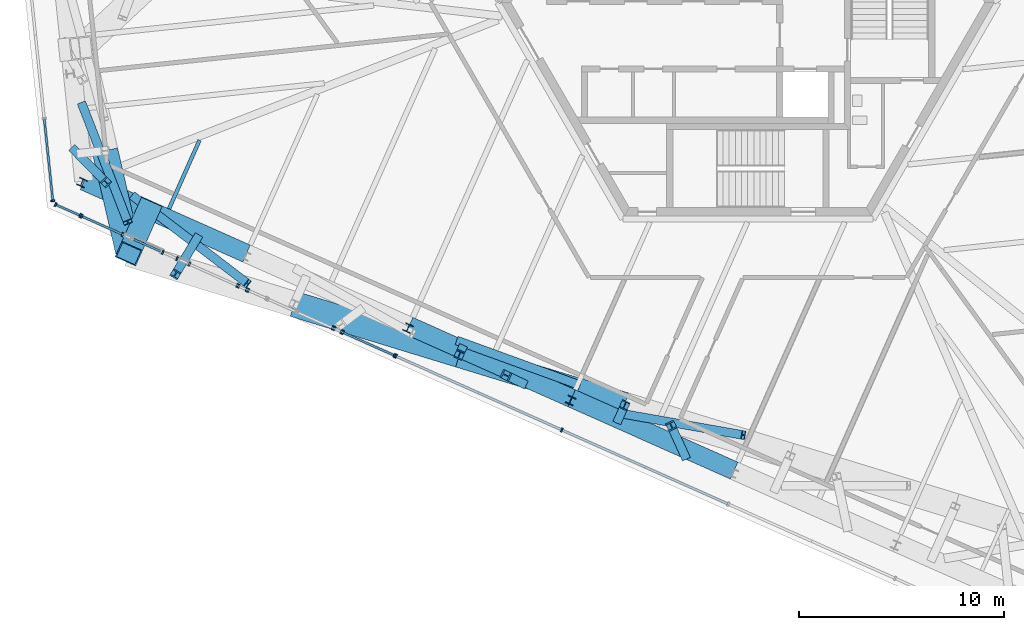
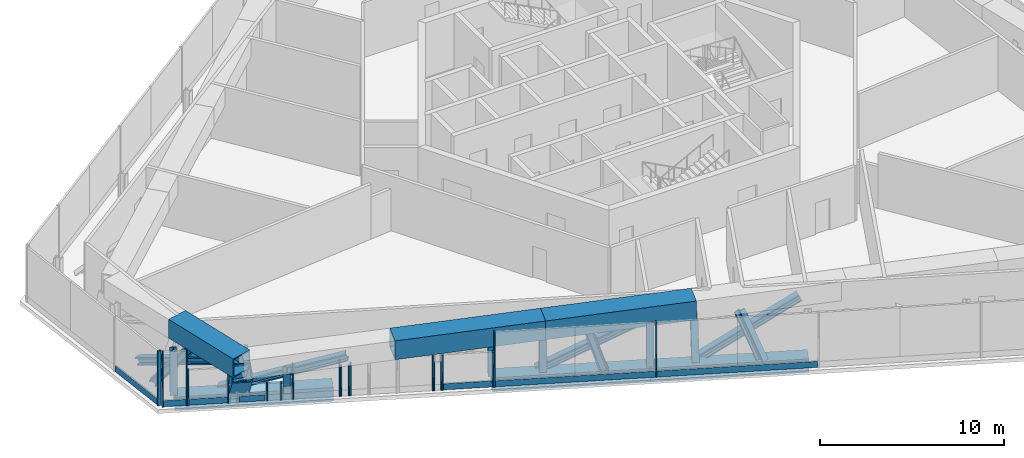
# One storey, part 1 of 30: 46 members, 1 beam, 12 elements without a shape of their own.
"""IFC4 building model written with IfcOpenShell, lengths in metres."""

from ifc_helpers import new_model, si_unit, direction, frame, origin, origin_2d, place, context, subcontext, project, spatial, rectangle, hollow_rectangle, i_section, extrude, source, transform, mapped, material, material_profile, profile_set, type_object, element, aggregate, save


model = new_model("IFC4")

# Units and contexts
model_context = context("Model", 3, precision=1e-05, world=origin(), true_north=direction((0.0, 1.0)))
body_context = subcontext(model_context, "Body", "Model", "MODEL_VIEW")
ifc_project = project(units=[si_unit("LENGTHUNIT", "METRE"), si_unit("AREAUNIT", "SQUARE_METRE"), si_unit("VOLUMEUNIT", "CUBIC_METRE"), si_unit("PLANEANGLEUNIT", "RADIAN"), si_unit("MASSUNIT", "GRAM", prefix="KILO")], contexts=[model_context])

# Site, building, storey
site_placement = place(None, origin())
site = spatial("IfcSite", under=ifc_project, at=site_placement, CompositionType="ELEMENT")
building_placement = place(site_placement, origin())
building = spatial("IfcBuilding", under=site, at=building_placement, Name="Triune Harvest Tower", CompositionType="ELEMENT")
storey_placement = place(building_placement, frame((0.0, 0.0, 94.5)))
storey = spatial("IfcBuildingStorey", under=building, at=storey_placement, Name="L23", CompositionType="ELEMENT", Elevation=94.5)

# Beam
ifc_material_1 = material(Name="Steel ASTM A992 Gr 50", Category="steel")
ifc_material_profile_1 = material_profile(ifc_material_1, i_section(OverallWidth=0.180908203125, OverallDepth=0.41650390625, WebThickness=0.010986328125, FlangeThickness=0.01806640625, at=origin_2d()), Name="W16x57")
ifc_profile_set_1 = profile_set([ifc_material_profile_1], Name="Steel ASTM A992 Gr 50")
beam_type = type_object("IfcBeamType", Name="JT-1 Floor joist W16x57", PredefinedType="JOIST", material=ifc_profile_set_1)
beam_placement = place(storey_placement, frame((-28.179443359375, -10.0498046875, -0.458251953125), z_axis=(0.4067460749, 0.913541258266, 0.0), x_axis=(-0.913541258266, 0.4067460749, 0.0)))
element("IfcBeam", 1, at=beam_placement, inside=storey, type_object=beam_type, Name="beam/L23/JT27", PredefinedType="JOIST", context=body_context, shape_type="SweptSolid", body=[
    extrude(i_section(OverallWidth=0.180908203125, OverallDepth=0.41650390625, WebThickness=0.010986328125, FlangeThickness=0.01806640625, at=origin_2d()), origin(), (0.0, 0.0, 1.0), 3.653076171875),
])

# Members
ifc_material_2 = material(Name="Steel ASTM A572 Gr 50", Category="steel")
ifc_material_profile_2 = material_profile(ifc_material_2, hollow_rectangle(XDim=1.25, YDim=1.25, WallThickness=0.070068359375, at=origin_2d()), Name="Box 1250x1250x70")
ifc_profile_set_2 = profile_set([ifc_material_profile_2], Name="Steel ASTM A572 Gr 50")
member_type_1 = type_object("IfcMemberType", Name="TC-1 Belt truss chord Box 1250x1250x70", PredefinedType="CHORD", material=ifc_profile_set_2)
member_1_placement = place(storey_placement, frame((-31.291015625, -7.22412109375, 3.014892578125), z_axis=(0.224960173276, -0.974367959469, 0.0), x_axis=(0.974367959469, 0.224960173276, 0.0)))
element("IfcMember", 2, at=member_1_placement, inside=storey, type_object=member_type_1, Name="truss/L23/TCT16", PredefinedType="CHORD", context=body_context, shape_type="SweptSolid", body=[
    extrude(hollow_rectangle(XDim=1.25, YDim=1.25, WallThickness=0.070068359375, at=origin_2d()), origin(), (0.0, 0.0, 1.0), 5.136474609375),
])
ifc_material_3 = material(Name="Steel ASTM A992 Gr 50", Category="steel")
ifc_material_profile_3 = material_profile(ifc_material_3, i_section(OverallWidth=0.424072265625, OverallDepth=0.47509765625, WebThickness=0.0478515625, FlangeThickness=0.0771484375, at=origin_2d()), Name="W14x426")
ifc_profile_set_3 = profile_set([ifc_material_profile_3], Name="Steel ASTM A992 Gr 50")
member_type_2 = type_object("IfcMemberType", Name="TD-1 Belt truss diagonal W14x426", PredefinedType="BRACE", material=ifc_profile_set_3)
member_2_placement = place(storey_placement, frame((-29.9130859375, -9.442138671875, -0.324951171875), z_axis=(0.739611778262, -0.564751900997, 0.366100679836), x_axis=(0.606884722326, 0.794789867705, 0.0)))
element("IfcMember", 3, at=member_2_placement, inside=storey, type_object=member_type_2, Name="truss/L23/TD33", PredefinedType="BRACE", context=body_context, shape_type="SweptSolid", body=[
    extrude(i_section(OverallWidth=0.424072265625, OverallDepth=0.47509765625, WebThickness=0.0478515625, FlangeThickness=0.0771484375, at=origin_2d()), origin(), (0.0, 0.0, 1.0), 7.511474609375),
])

# Curtain wall, member
ifc_material_4 = material(Name="Aluminium bronze anodised", Category="aluminium")
curtain_wall_type = type_object("IfcCurtainWallType", Name="CW-5 Plant louvre wall", PredefinedType="NOTDEFINED", material=ifc_material_4)
curtain_wall_1_placement = place(storey_placement, origin())
curtain_wall_1 = element("IfcCurtainWall", 4, at=curtain_wall_1_placement, inside=storey, type_object=curtain_wall_type, Name="CW-5 B2-F5 L23 run 301")
ifc_material_5 = material(Name="Aluminium bronze anodised", Category="aluminium")
ifc_material_profile_4 = material_profile(ifc_material_5, rectangle(XDim=0.10009765625, YDim=0.39990234375, at=origin_2d()), Name="TR-5 transom 100 x 400")
ifc_profile_set_4 = profile_set([ifc_material_profile_4], Name="Aluminium bronze anodised")
member_type_3 = type_object("IfcMemberType", Name="TR-5 transom 100 x 400", PredefinedType="USERDEFINED", material=ifc_profile_set_4)
member_3_placement = place(storey_placement, frame((-29.895751953125, -11.535400390625, 0.199951171875), z_axis=(0.91360024663, -0.406613562682, 0.0), x_axis=(0.406613562682, 0.91360024663, 0.0)))
member_3 = element("IfcMember", 5, at=member_3_placement, type_object=member_type_3, Name="CW-5 transom B2-F5 301.1", ObjectType="TRANSOM", PredefinedType="USERDEFINED", context=body_context, shape_type="SweptSolid", body=[
    extrude(rectangle(XDim=0.10009765625, YDim=0.39990234375, at=origin_2d()), origin(), (0.0, 0.0, 1.0), 1.43017578125),
])
aggregate(curtain_wall_1, [member_3])

curtain_wall_2_placement = place(storey_placement, origin())
curtain_wall_2 = element("IfcCurtainWall", 6, at=curtain_wall_2_placement, inside=storey, type_object=curtain_wall_type, Name="CW-5 B2-F5 L23 run 1201")
member_4_placement = place(storey_placement, frame((-19.68505859375, -16.08154296875, 0.199951171875), z_axis=(0.913574454916, -0.406671507884, 0.0), x_axis=(0.406671507884, 0.913574454916, 0.0)))
member_4 = element("IfcMember", 7, at=member_4_placement, type_object=member_type_3, Name="CW-5 transom B2-F5 1201.1", ObjectType="TRANSOM", PredefinedType="USERDEFINED", context=body_context, shape_type="SweptSolid", body=[
    extrude(rectangle(XDim=0.10009765625, YDim=0.39990234375, at=origin_2d()), origin(), (0.0, 0.0, 1.0), 2.677001953125),
])

# Members
ifc_material_6 = material(Name="Steel ASTM A992 Gr 50", Category="steel")
ifc_material_profile_5 = material_profile(ifc_material_6, i_section(OverallWidth=0.398681640625, OverallDepth=0.393798828125, WebThickness=0.022705078125, FlangeThickness=0.03662109375, at=origin_2d()), Name="W14x193")
ifc_profile_set_5 = profile_set([ifc_material_profile_5], Name="Steel ASTM A992 Gr 50")
member_type_4 = type_object("IfcMemberType", Name="WP-2 Roof edge post W14x193", PredefinedType="POST", material=ifc_profile_set_5)
shared_shape_1 = source(origin(), body_context, "Body", "SweptSolid", [
    extrude(i_section(OverallWidth=0.398681640625, OverallDepth=0.393798828125, WebThickness=0.022705078125, FlangeThickness=0.03662109375, at=origin_2d()), origin(), (0.0, 0.0, 1.0), 2.9755859375),
])
for number, where, z_axis, x_axis, name in (
    (8, (-32.416259765625, -8.769775390625, -0.25), (0.0, 0.0, 1.0), (0.913545457643, -0.406736643076, 0.0), "post/L23/W16"),
    (9, (-16.541259765625, -15.85546875, -0.25), (0.0, 0.0, 1.0), (0.913545457643, -0.406736643076, 0.0), "post/L23/W18"),
    (10, (-8.6279296875, -19.378662109375, -0.25), (0.0, 0.0, 1.0), (0.913545457643, -0.406736643076, 0.0), "post/L23/W19"),
):
    element("IfcMember", number, at=place(storey_placement, frame(where, z_axis=z_axis, x_axis=x_axis)), inside=storey, type_object=member_type_4, Name=name, PredefinedType="POST", context=body_context, shape_type="MappedRepresentation", body=[
        mapped(shared_shape_1, transform((0.0, 0.0, 0.0), scale=1.0)),
    ])
ifc_material_7 = material(Name="Steel ASTM A572 Gr 50", Category="steel")
ifc_material_profile_6 = material_profile(ifc_material_7, hollow_rectangle(XDim=0.89990234375, YDim=0.89990234375, WallThickness=0.050048828125, at=origin_2d()), Name="Box 900x900x50")
ifc_profile_set_6 = profile_set([ifc_material_profile_6], Name="Steel ASTM A572 Gr 50")
member_type_5 = type_object("IfcMemberType", Name="TC-2 Belt truss chord Box 900x900x50", PredefinedType="CHORD", material=ifc_profile_set_6)
shared_shape_2 = source(origin(), body_context, "Body", "SweptSolid", [
    extrude(hollow_rectangle(XDim=0.89990234375, YDim=0.89990234375, WallThickness=0.050048828125, at=origin_2d()), origin(), (0.0, 0.0, 1.0), 8.662109375),
])
for number, where, z_axis, x_axis, name in (
    (11, (-32.319091796875, -8.69921875, -0.699951171875), (0.913547524684, -0.406732000392, 0.0), (0.406732000392, 0.913547524684, 0.0), "truss/L23/TCB17"),
    (12, (-16.492431640625, -15.745849609375, -0.699951171875), (0.913547524684, -0.406732000392, 0.0), (0.406732000392, 0.913547524684, 0.0), "truss/L23/TCB19"),
    (13, (-8.5791015625, -19.26904296875, -0.699951171875), (0.913547524684, -0.406732000392, 0.0), (0.406732000392, 0.913547524684, 0.0), "truss/L23/TCB20"),
):
    element("IfcMember", number, at=place(storey_placement, frame(where, z_axis=z_axis, x_axis=x_axis)), inside=storey, type_object=member_type_5, Name=name, PredefinedType="CHORD", context=body_context, shape_type="MappedRepresentation", body=[
        mapped(shared_shape_2, transform((0.0, 0.0, 0.0), scale=1.0)),
    ])
shared_shape_3 = source(origin(), body_context, "Body", "SweptSolid", [
    extrude(hollow_rectangle(XDim=1.25, YDim=1.25, WallThickness=0.070068359375, at=origin_2d()), origin(), (0.0, 0.0, 1.0), 8.414306640625),
])
member_5_placement = place(storey_placement, frame((-14.0419921875, -17.1494140625, 3.014892578125), z_axis=(0.956301328629, -0.292382914791, 0.0), x_axis=(0.292382914791, 0.956301328629, 0.0)))
element("IfcMember", 14, at=member_5_placement, inside=storey, type_object=member_type_1, Name="truss/L23/TCT19", PredefinedType="CHORD", context=body_context, shape_type="MappedRepresentation", body=[
    mapped(shared_shape_3, transform((0.0, 0.0, 0.0), scale=1.0)),
])
shared_shape_4 = source(origin(), body_context, "Body", "SweptSolid", [
    extrude(hollow_rectangle(XDim=1.25, YDim=1.25, WallThickness=0.070068359375, at=origin_2d()), origin(), (0.0, 0.0, 1.0), 8.41455078125),
])
member_6_placement = place(storey_placement, frame((-22.0888671875, -14.689208984375, 3.014892578125), z_axis=(0.956303808943, -0.292374802267, 0.0), x_axis=(0.292374802267, 0.956303808943, 0.0)))
element("IfcMember", 15, at=member_6_placement, inside=storey, type_object=member_type_1, Name="truss/L23/TCT18", PredefinedType="CHORD", context=body_context, shape_type="MappedRepresentation", body=[
    mapped(shared_shape_4, transform((0.0, 0.0, 0.0), scale=1.0)),
])
ifc_material_8 = material(Name="Steel ASTM A992 Gr 50", Category="steel")
ifc_material_profile_7 = material_profile(ifc_material_8, i_section(OverallWidth=0.411376953125, OverallDepth=0.434326171875, WebThickness=0.035888671875, FlangeThickness=0.057373046875, at=origin_2d()), Name="W14x311")
ifc_profile_set_7 = profile_set([ifc_material_profile_7], Name="Steel ASTM A992 Gr 50")
member_type_6 = type_object("IfcMemberType", Name="TV-1 Belt truss strut W14x311", PredefinedType="STRUT", material=ifc_profile_set_7)
shared_shape_5 = source(origin(), body_context, "Body", "SweptSolid", [
    extrude(i_section(OverallWidth=0.411376953125, OverallDepth=0.434326171875, WebThickness=0.035888671875, FlangeThickness=0.057373046875, at=origin_2d()), origin(), (0.0, 0.0, 1.0), 2.715087890625),
])
member_7_placement = place(storey_placement, frame((-13.92578125, -16.888427734375, -0.27490234375), z_axis=(-0.042802913948, -0.096126712208, 0.994448372595), x_axis=(0.913529410294, -0.406772684097, 0.0)))
element("IfcMember", 16, at=member_7_placement, inside=storey, type_object=member_type_6, Name="truss/L23/TS19", PredefinedType="STRUT", context=body_context, shape_type="MappedRepresentation", body=[
    mapped(shared_shape_5, transform((0.0, 0.0, 0.0), scale=1.0)),
])
shared_shape_6 = source(origin(), body_context, "Body", "SweptSolid", [
    extrude(i_section(OverallWidth=0.411376953125, OverallDepth=0.434326171875, WebThickness=0.035888671875, FlangeThickness=0.057373046875, at=origin_2d()), origin(), (0.0, 0.0, 1.0), 2.799560546875),
])
member_8_placement = place(storey_placement, frame((-6.29638671875, -20.285400390625, -0.27490234375), z_axis=(0.107529417519, 0.241396129516, 0.964450793469), x_axis=(-0.913471010264, 0.406903813459, 0.0)))
element("IfcMember", 17, at=member_8_placement, inside=storey, type_object=member_type_6, Name="truss/L23/TS20", PredefinedType="STRUT", context=body_context, shape_type="MappedRepresentation", body=[
    mapped(shared_shape_6, transform((0.0, 0.0, 0.0), scale=1.0)),
])
ifc_material_9 = material(Name="Steel ASTM A572 Gr 50", Category="steel")
ifc_material_profile_8 = material_profile(ifc_material_9, hollow_rectangle(XDim=1.10009765625, YDim=1.10009765625, WallThickness=0.06005859375, at=origin_2d()), Name="Box 1100x1100x60")
ifc_profile_set_8 = profile_set([ifc_material_profile_8], Name="Steel ASTM A572 Gr 50")
member_type_7 = type_object("IfcMemberType", Name="TS-1 Belt truss raked strut Box 1100x1100x60", PredefinedType="STRUT", material=ifc_profile_set_8)
shared_shape_7 = source(origin(), body_context, "Body", "SweptSolid", [
    extrude(hollow_rectangle(XDim=1.10009765625, YDim=1.10009765625, WallThickness=0.06005859375, at=origin_2d()), origin(), (0.0, 0.0, 1.0), 3.570556640625),
])
member_9_placement = place(storey_placement, frame((-29.185302734375, -10.094482421875, -0.27490234375), z_axis=(-0.266120548339, -0.597813965603, 0.756173469702), x_axis=(0.913570087138, -0.406681319815, 0.0)))
element("IfcMember", 18, at=member_9_placement, inside=storey, type_object=member_type_7, Name="truss/L23/TS17", PredefinedType="STRUT", context=body_context, shape_type="MappedRepresentation", body=[
    mapped(shared_shape_7, transform((0.0, 0.0, 0.0), scale=1.0)),
])
shared_shape_8 = source(origin(), body_context, "Body", "SweptSolid", [
    extrude(i_section(OverallWidth=0.424072265625, OverallDepth=0.47509765625, WebThickness=0.0478515625, FlangeThickness=0.0771484375, at=origin_2d()), origin(), (0.0, 0.0, 1.0), 6.778076171875),
])
member_10_placement = place(storey_placement, frame((-14.08642578125, -16.488525390625, -0.324951171875), z_axis=(0.859029236945, -0.312181072439, 0.405723733697), x_axis=(0.341556367778, 0.939861291697, 0.0)))
element("IfcMember", 19, at=member_10_placement, inside=storey, type_object=member_type_2, Name="truss/L23/TD37", PredefinedType="BRACE", context=body_context, shape_type="MappedRepresentation", body=[
    mapped(shared_shape_8, transform((0.0, 0.0, 0.0), scale=1.0)),
])
shared_shape_9 = source(origin(), body_context, "Body", "SweptSolid", [
    extrude(i_section(OverallWidth=0.424072265625, OverallDepth=0.47509765625, WebThickness=0.0478515625, FlangeThickness=0.0771484375, at=origin_2d()), origin(), (0.0, 0.0, 1.0), 2.884765625),
])
member_11_placement = place(storey_placement, frame((-10.985107421875, -18.5263671875, -0.324951171875), z_axis=(-0.273186548414, 0.128976548879, 0.95327548988), x_axis=(-0.42692995088, -0.904284699108, 0.0)))
element("IfcMember", 20, at=member_11_placement, inside=storey, type_object=member_type_2, Name="truss/L23/TD38", PredefinedType="BRACE", context=body_context, shape_type="MappedRepresentation", body=[
    mapped(shared_shape_9, transform((0.0, 0.0, 0.0), scale=1.0)),
])
shared_shape_10 = source(origin(), body_context, "Body", "SweptSolid", [
    extrude(i_section(OverallWidth=0.424072265625, OverallDepth=0.47509765625, WebThickness=0.0478515625, FlangeThickness=0.0771484375, at=origin_2d()), origin(), (0.0, 0.0, 1.0), 6.64404296875),
])
member_12_placement = place(storey_placement, frame((-6.173095703125, -20.011962890625, -0.324951171875), z_axis=(0.896422525868, -0.158449433554, 0.413908724385), x_axis=(0.174059357264, 0.984735162442, 0.0)))
element("IfcMember", 21, at=member_12_placement, inside=storey, type_object=member_type_2, Name="truss/L23/TD39", PredefinedType="BRACE", context=body_context, shape_type="MappedRepresentation", body=[
    mapped(shared_shape_10, transform((0.0, 0.0, 0.0), scale=1.0)),
])
shared_shape_11 = source(origin(), body_context, "Body", "SweptSolid", [
    extrude(i_section(OverallWidth=0.424072265625, OverallDepth=0.47509765625, WebThickness=0.0478515625, FlangeThickness=0.0771484375, at=origin_2d()), origin(), (0.0, 0.0, 1.0), 3.170166015625),
])
member_13_placement = place(storey_placement, frame((-3.07177734375, -22.049560546875, -0.324951171875), z_axis=(-0.206538984155, 0.452660756474, 0.867432929726), x_axis=(-0.909771880176, -0.41510857139, 0.0)))
element("IfcMember", 22, at=member_13_placement, inside=storey, type_object=member_type_2, Name="truss/L23/TD40", PredefinedType="BRACE", context=body_context, shape_type="MappedRepresentation", body=[
    mapped(shared_shape_11, transform((0.0, 0.0, 0.0), scale=1.0)),
])
shared_shape_12 = source(origin(), body_context, "Body", "SweptSolid", [
    extrude(i_section(OverallWidth=0.424072265625, OverallDepth=0.47509765625, WebThickness=0.0478515625, FlangeThickness=0.0771484375, at=origin_2d()), origin(), (0.0, 0.0, 1.0), 6.743408203125),
])
member_14_placement = place(storey_placement, frame((-32.410888671875, -4.9560546875, -0.324951171875), z_axis=(0.330259626278, -0.851245815944, 0.407810176539), x_axis=(0.932293100458, 0.361703711397, 0.0)))
element("IfcMember", 23, at=member_14_placement, inside=storey, type_object=member_type_2, Name="truss/L23/TD31", PredefinedType="BRACE", context=body_context, shape_type="MappedRepresentation", body=[
    mapped(shared_shape_12, transform((0.0, 0.0, 0.0), scale=1.0)),
])
shared_shape_13 = source(origin(), body_context, "Body", "SweptSolid", [
    extrude(i_section(OverallWidth=0.424072265625, OverallDepth=0.47509765625, WebThickness=0.0478515625, FlangeThickness=0.0771484375, at=origin_2d()), origin(), (0.0, 0.0, 1.0), 3.514404296875),
])
member_15_placement = place(storey_placement, frame((-32.778564453125, -7.197998046875, -0.324951171875), z_axis=(0.436950142207, -0.443619015601, 0.782481144963), x_axis=(0.712441529278, 0.701731478102, 0.0)))
element("IfcMember", 24, at=member_15_placement, inside=storey, type_object=member_type_2, Name="truss/L23/TD32", PredefinedType="BRACE", context=body_context, shape_type="MappedRepresentation", body=[
    mapped(shared_shape_13, transform((0.0, 0.0, 0.0), scale=1.0)),
])
shared_shape_14 = source(origin(), body_context, "Body", "SweptSolid", [
    extrude(i_section(OverallWidth=0.424072265625, OverallDepth=0.47509765625, WebThickness=0.0478515625, FlangeThickness=0.0771484375, at=origin_2d()), origin(), (0.0, 0.0, 1.0), 3.428466796875),
])
member_16_placement = place(storey_placement, frame((-26.811767578125, -11.479736328125, -0.324951171875), z_axis=(-0.307776699659, -0.511726831039, 0.802127891013), x_axis=(0.856945284305, -0.51540739198, 0.0)))
element("IfcMember", 25, at=member_16_placement, inside=storey, type_object=member_type_2, Name="truss/L23/TD34", PredefinedType="BRACE", context=body_context, shape_type="MappedRepresentation", body=[
    mapped(shared_shape_14, transform((0.0, 0.0, 0.0), scale=1.0)),
])

# Curtain wall, members
curtain_wall_3_placement = place(storey_placement, origin())
curtain_wall_3 = element("IfcCurtainWall", 26, at=curtain_wall_3_placement, inside=storey, type_object=curtain_wall_type, Name="CW-5 B2-F5 L23 run 101")
ifc_material_10 = material(Name="Aluminium bronze anodised", Category="aluminium")
ifc_material_profile_9 = material_profile(ifc_material_10, rectangle(XDim=0.199951171875, YDim=0.080078125, at=origin_2d()), Name="MU-5 mullion 80 x 200")
ifc_profile_set_9 = profile_set([ifc_material_profile_9], Name="Aluminium bronze anodised")
member_type_8 = type_object("IfcMemberType", Name="MU-5 mullion 80 x 200", PredefinedType="MULLION", material=ifc_profile_set_9)
shared_shape_15 = source(origin(), body_context, "Body", "SweptSolid", [
    extrude(rectangle(XDim=0.199951171875, YDim=0.080078125, at=origin_2d()), origin(), (0.0, 0.0, 1.0), 2.330078125),
])
member_17_placement = place(storey_placement, frame((-32.4287109375, -10.40771484375, 0.0), z_axis=(0.0, 0.0, 1.0), x_axis=(0.406740396745, 0.913543786392, 0.0)))
member_17 = element("IfcMember", 27, at=member_17_placement, type_object=member_type_8, Name="CW-5 mullion B2-F5 101.1", PredefinedType="MULLION", context=body_context, shape_type="MappedRepresentation", body=[
    mapped(shared_shape_15, transform((0.0, 0.0, 0.0), scale=1.0)),
])
member_18_placement = place(storey_placement, frame((-30.43212890625, -11.296630859375, 0.0), z_axis=(0.0, 0.0, 1.0), x_axis=(0.406740396745, 0.913543786392, 0.0)))
member_18 = element("IfcMember", 28, at=member_18_placement, type_object=member_type_8, Name="CW-5 mullion B2-F5 101.2", PredefinedType="MULLION", context=body_context, shape_type="MappedRepresentation", body=[
    mapped(shared_shape_15, transform((0.0, 0.0, 0.0), scale=1.0)),
])

curtain_wall_4_placement = place(storey_placement, origin())
curtain_wall_4 = element("IfcCurtainWall", 29, at=curtain_wall_4_placement, inside=storey, type_object=curtain_wall_type, Name="CW-5 B2-F5 L23 run 601")
member_19_placement = place(storey_placement, frame((-27.191162109375, -12.739501953125, 0.0), z_axis=(0.0, 0.0, 1.0), x_axis=(0.406740874502, 0.913543573679, 0.0)))
member_19 = element("IfcMember", 30, at=member_19_placement, type_object=member_type_8, Name="CW-5 mullion B2-F5 601.1", PredefinedType="MULLION", context=body_context, shape_type="MappedRepresentation", body=[
    mapped(shared_shape_15, transform((0.0, 0.0, 0.0), scale=1.0)),
])
member_20_placement = place(storey_placement, frame((-24.858642578125, -13.778076171875, 0.0), z_axis=(0.0, 0.0, 1.0), x_axis=(0.406740874502, 0.913543573679, 0.0)))
member_20 = element("IfcMember", 31, at=member_20_placement, type_object=member_type_8, Name="CW-5 mullion B2-F5 601.2", PredefinedType="MULLION", context=body_context, shape_type="MappedRepresentation", body=[
    mapped(shared_shape_15, transform((0.0, 0.0, 0.0), scale=1.0)),
])
aggregate(curtain_wall_4, [member_19, member_20])

# Curtain wall, member
curtain_wall_5_placement = place(storey_placement, origin())
curtain_wall_5 = element("IfcCurtainWall", 32, at=curtain_wall_5_placement, inside=storey, type_object=curtain_wall_type, Name="CW-5 B2-F5 L23 run 1001")
member_21_placement = place(storey_placement, frame((-20.210693359375, -15.847412109375, 0.0), z_axis=(0.0, 0.0, 1.0), x_axis=(0.406744019951, 0.91354217321, 0.0)))
member_21 = element("IfcMember", 33, at=member_21_placement, type_object=member_type_8, Name="CW-5 mullion B2-F5 1001.2", PredefinedType="MULLION", context=body_context, shape_type="MappedRepresentation", body=[
    mapped(shared_shape_15, transform((0.0, 0.0, 0.0), scale=1.0)),
])
aggregate(curtain_wall_5, [member_21])

# Member
member_22_placement = place(storey_placement, frame((-19.7216796875, -16.065185546875, 0.0), z_axis=(0.0, 0.0, 1.0), x_axis=(0.406736883214, 0.913545350726, 0.0)))
member_22 = element("IfcMember", 34, at=member_22_placement, type_object=member_type_8, Name="CW-5 mullion B2-F5 1201.1", PredefinedType="MULLION", context=body_context, shape_type="MappedRepresentation", body=[
    mapped(shared_shape_15, transform((0.0, 0.0, 0.0), scale=1.0)),
])

member_23_placement = place(storey_placement, frame((-17.203125, -17.1865234375, 0.0), z_axis=(0.0, 0.0, 1.0), x_axis=(0.406736883214, 0.913545350726, 0.0)))
member_23 = element("IfcMember", 35, at=member_23_placement, type_object=member_type_8, Name="CW-5 mullion B2-F5 1201.2", PredefinedType="MULLION", context=body_context, shape_type="MappedRepresentation", body=[
    mapped(shared_shape_15, transform((0.0, 0.0, 0.0), scale=1.0)),
])

aggregate(curtain_wall_2, [member_22, member_23, member_4])

# Curtain wall, member
curtain_wall_6_placement = place(storey_placement, origin())
curtain_wall_6 = element("IfcCurtainWall", 36, at=curtain_wall_6_placement, inside=storey, type_object=curtain_wall_type, Name="CW-5 B2-F4 L23 run 1")
shared_shape_16 = source(origin(), body_context, "Body", "SweptSolid", [
    extrude(rectangle(XDim=0.199951171875, YDim=0.080078125, at=origin_2d()), origin(), (0.0, 0.0, 1.0), 3.639892578125),
])
member_24_placement = place(storey_placement, frame((-33.832275390625, -9.659423828125, 0.0), z_axis=(0.0, 0.0, 1.0), x_axis=(0.994521790334, 0.104529462601, 0.0)))
member_24 = element("IfcMember", 37, at=member_24_placement, type_object=member_type_8, Name="CW-5 mullion B2-F4 1.4", PredefinedType="MULLION", context=body_context, shape_type="MappedRepresentation", body=[
    mapped(shared_shape_16, transform((0.0, 0.0, 0.0), scale=1.0)),
])

# Curtain wall, members
curtain_wall_7_placement = place(storey_placement, origin())
curtain_wall_7 = element("IfcCurtainWall", 38, at=curtain_wall_7_placement, inside=storey, type_object=curtain_wall_type, Name="CW-5 B2-F5 L23 run 1")
member_25_placement = place(storey_placement, frame((-33.699951171875, -9.841552734375, 0.0), z_axis=(0.0, 0.0, 1.0), x_axis=(0.40675181395, 0.913538702983, 0.0)))
member_25 = element("IfcMember", 39, at=member_25_placement, type_object=member_type_8, Name="CW-5 mullion B2-F5 1.1", PredefinedType="MULLION", context=body_context, shape_type="MappedRepresentation", body=[
    mapped(shared_shape_16, transform((0.0, 0.0, 0.0), scale=1.0)),
])
member_26_placement = place(storey_placement, frame((-32.501708984375, -10.375244140625, 0.0), z_axis=(0.0, 0.0, 1.0), x_axis=(0.40675181395, 0.913538702983, 0.0)))
member_26 = element("IfcMember", 40, at=member_26_placement, type_object=member_type_8, Name="CW-5 mullion B2-F5 1.2", PredefinedType="MULLION", context=body_context, shape_type="MappedRepresentation", body=[
    mapped(shared_shape_16, transform((0.0, 0.0, 0.0), scale=1.0)),
])

curtain_wall_8_placement = place(storey_placement, origin())
curtain_wall_8 = element("IfcCurtainWall", 41, at=curtain_wall_8_placement, inside=storey, type_object=curtain_wall_type, Name="CW-5 B2-F5 L23 run 1301")
member_27_placement = place(storey_placement, frame((-17.1298828125, -17.218994140625, 0.0), z_axis=(0.0, 0.0, 1.0), x_axis=(0.406737270072, 0.913545178485, 0.0)))
member_27 = element("IfcMember", 42, at=member_27_placement, type_object=member_type_8, Name="CW-5 mullion B2-F5 1301.1", PredefinedType="MULLION", context=body_context, shape_type="MappedRepresentation", body=[
    mapped(shared_shape_16, transform((0.0, 0.0, 0.0), scale=1.0)),
])
member_28_placement = place(storey_placement, frame((-9.056640625, -20.8134765625, 0.0), z_axis=(0.0, 0.0, 1.0), x_axis=(0.406737270072, 0.913545178485, 0.0)))
member_28 = element("IfcMember", 43, at=member_28_placement, type_object=member_type_8, Name="CW-5 mullion B2-F5 1301.3", PredefinedType="MULLION", context=body_context, shape_type="MappedRepresentation", body=[
    mapped(shared_shape_16, transform((0.0, 0.0, 0.0), scale=1.0)),
])

# Member
shared_shape_17 = source(origin(), body_context, "Body", "SweptSolid", [
    extrude(rectangle(XDim=0.10009765625, YDim=0.39990234375, at=origin_2d()), origin(), (0.0, 0.0, 1.0), 1.2314453125),
])
member_29_placement = place(storey_placement, frame((-33.663330078125, -9.85791015625, 0.199951171875), z_axis=(0.91351700554, -0.40680054153, 0.0), x_axis=(0.40680054153, 0.91351700554, 0.0)))
member_29 = element("IfcMember", 44, at=member_29_placement, type_object=member_type_3, Name="CW-5 transom B2-F5 1.1", ObjectType="TRANSOM", PredefinedType="USERDEFINED", context=body_context, shape_type="MappedRepresentation", body=[
    mapped(shared_shape_17, transform((0.0, 0.0, 0.0), scale=1.0)),
])

aggregate(curtain_wall_7, [member_25, member_26, member_29])

shared_shape_18 = source(origin(), body_context, "Body", "SweptSolid", [
    extrude(rectangle(XDim=0.10009765625, YDim=0.39990234375, at=origin_2d()), origin(), (0.0, 0.0, 1.0), 2.105712890625),
])
member_30_placement = place(storey_placement, frame((-32.39208984375, -10.423828125, 0.199951171875), z_axis=(0.913543596963, -0.406740822204, 0.0), x_axis=(0.406740822204, 0.913543596963, 0.0)))
member_30 = element("IfcMember", 45, at=member_30_placement, type_object=member_type_3, Name="CW-5 transom B2-F5 101.1", ObjectType="TRANSOM", PredefinedType="USERDEFINED", context=body_context, shape_type="MappedRepresentation", body=[
    mapped(shared_shape_18, transform((0.0, 0.0, 0.0), scale=1.0)),
])

aggregate(curtain_wall_3, [member_17, member_18, member_30])

# Curtain wall, members
curtain_wall_9_placement = place(storey_placement, origin())
curtain_wall_9 = element("IfcCurtainWall", 46, at=curtain_wall_9_placement, inside=storey, type_object=curtain_wall_type, Name="CW-5 B2-F5 L23 run 401")
shared_shape_19 = source(origin(), body_context, "Body", "SweptSolid", [
    extrude(rectangle(XDim=0.199951171875, YDim=0.080078125, at=origin_2d()), origin(), (0.0, 0.0, 1.0), 1.123291015625),
])
member_31_placement = place(storey_placement, frame((-28.4794921875, -12.165771484375, 0.0), z_axis=(0.0, 0.0, 1.0), x_axis=(0.406781075314, 0.913525673841, 0.0)))
member_31 = element("IfcMember", 47, at=member_31_placement, type_object=member_type_8, Name="CW-5 mullion B2-F5 401.1", PredefinedType="MULLION", context=body_context, shape_type="MappedRepresentation", body=[
    mapped(shared_shape_19, transform((0.0, 0.0, 0.0), scale=1.0)),
])
member_32_placement = place(storey_placement, frame((-27.787841796875, -12.473876953125, 0.0), z_axis=(0.0, 0.0, 1.0), x_axis=(0.406781075314, 0.913525673841, 0.0)))
member_32 = element("IfcMember", 48, at=member_32_placement, type_object=member_type_8, Name="CW-5 mullion B2-F5 401.2", PredefinedType="MULLION", context=body_context, shape_type="MappedRepresentation", body=[
    mapped(shared_shape_19, transform((0.0, 0.0, 0.0), scale=1.0)),
])
aggregate(curtain_wall_9, [member_31, member_32])

# Curtain wall, member
curtain_wall_10_placement = place(storey_placement, origin())
curtain_wall_10 = element("IfcCurtainWall", 49, at=curtain_wall_10_placement, inside=storey, type_object=curtain_wall_type, Name="CW-5 B2-F5 L23 run 801")
shared_shape_20 = source(origin(), body_context, "Body", "SweptSolid", [
    extrude(rectangle(XDim=0.199951171875, YDim=0.080078125, at=origin_2d()), origin(), (0.0, 0.0, 1.0), 2.170166015625),
])
member_33_placement = place(storey_placement, frame((-24.3251953125, -14.015625, 0.0), z_axis=(0.0, 0.0, 1.0), x_axis=(0.406715123827, 0.913555038326, 0.0)))
member_33 = element("IfcMember", 50, at=member_33_placement, type_object=member_type_8, Name="CW-5 mullion B2-F5 801.1", PredefinedType="MULLION", context=body_context, shape_type="MappedRepresentation", body=[
    mapped(shared_shape_20, transform((0.0, 0.0, 0.0), scale=1.0)),
])
aggregate(curtain_wall_10, [member_33])

# Member
shared_shape_21 = source(origin(), body_context, "Body", "SweptSolid", [
    extrude(rectangle(XDim=0.10009765625, YDim=0.39990234375, at=origin_2d()), origin(), (0.0, 0.0, 1.0), 3.953369140625),
])
member_34_placement = place(storey_placement, frame((-34.24951171875, -5.68798828125, 0.199951171875), z_axis=(0.104491899416, -0.994525737704, 0.0), x_axis=(0.994525737704, 0.104491899416, 0.0)))
member_34 = element("IfcMember", 51, at=member_34_placement, type_object=member_type_3, Name="CW-5 transom B2-F4 1.2", ObjectType="TRANSOM", PredefinedType="USERDEFINED", context=body_context, shape_type="MappedRepresentation", body=[
    mapped(shared_shape_21, transform((0.0, 0.0, 0.0), scale=1.0)),
])

aggregate(curtain_wall_6, [member_24, member_34])

# Curtain wall, members
curtain_wall_11_placement = place(storey_placement, origin())
curtain_wall_11 = element("IfcCurtainWall", 52, at=curtain_wall_11_placement, inside=storey, type_object=curtain_wall_type, Name="CW-5 B2-F5 L23 run 701")
shared_shape_22 = source(origin(), body_context, "Body", "SweptSolid", [
    extrude(rectangle(XDim=0.199951171875, YDim=0.080078125, at=origin_2d()), origin(), (0.0, 0.0, 1.0), 1.977294921875),
])
member_35_placement = place(storey_placement, frame((-24.78564453125, -13.810546875, 0.0), z_axis=(0.0, 0.0, 1.0), x_axis=(0.406764319392, 0.91353313485, 0.0)))
member_35 = element("IfcMember", 53, at=member_35_placement, type_object=member_type_8, Name="CW-5 mullion B2-F5 701.1", PredefinedType="MULLION", context=body_context, shape_type="MappedRepresentation", body=[
    mapped(shared_shape_22, transform((0.0, 0.0, 0.0), scale=1.0)),
])
member_36_placement = place(storey_placement, frame((-24.398193359375, -13.98291015625, 0.0), z_axis=(0.0, 0.0, 1.0), x_axis=(0.406764319392, 0.91353313485, 0.0)))
member_36 = element("IfcMember", 54, at=member_36_placement, type_object=member_type_8, Name="CW-5 mullion B2-F5 701.2", PredefinedType="MULLION", context=body_context, shape_type="MappedRepresentation", body=[
    mapped(shared_shape_22, transform((0.0, 0.0, 0.0), scale=1.0)),
])
aggregate(curtain_wall_11, [member_35, member_36])

curtain_wall_12_placement = place(storey_placement, origin())
curtain_wall_12 = element("IfcCurtainWall", 55, at=curtain_wall_12_placement, inside=storey, type_object=curtain_wall_type, Name="CW-5 B2-F5 L23 run 1101")
shared_shape_23 = source(origin(), body_context, "Body", "SweptSolid", [
    extrude(rectangle(XDim=0.199951171875, YDim=0.080078125, at=origin_2d()), origin(), (0.0, 0.0, 1.0), 1.83642578125),
])
member_37_placement = place(storey_placement, frame((-20.1376953125, -15.8798828125, 0.0), z_axis=(0.0, 0.0, 1.0), x_axis=(0.406708907726, 0.913557805712, 0.0)))
member_37 = element("IfcMember", 56, at=member_37_placement, type_object=member_type_8, Name="CW-5 mullion B2-F5 1101.1", PredefinedType="MULLION", context=body_context, shape_type="MappedRepresentation", body=[
    mapped(shared_shape_23, transform((0.0, 0.0, 0.0), scale=1.0)),
])
member_38_placement = place(storey_placement, frame((-19.794677734375, -16.03271484375, 0.0), z_axis=(0.0, 0.0, 1.0), x_axis=(0.406708907726, 0.913557805712, 0.0)))
member_38 = element("IfcMember", 57, at=member_38_placement, type_object=member_type_8, Name="CW-5 mullion B2-F5 1101.2", PredefinedType="MULLION", context=body_context, shape_type="MappedRepresentation", body=[
    mapped(shared_shape_23, transform((0.0, 0.0, 0.0), scale=1.0)),
])
aggregate(curtain_wall_12, [member_37, member_38])

# Member
shared_shape_24 = source(origin(), body_context, "Body", "SweptSolid", [
    extrude(rectangle(XDim=0.10009765625, YDim=0.39990234375, at=origin_2d()), origin(), (0.0, 0.0, 1.0), 8.75732421875),
])
member_39_placement = place(storey_placement, frame((-17.093505859375, -17.2353515625, 0.199951171875), z_axis=(0.913552696186, -0.406720384652, 0.0), x_axis=(0.406720384652, 0.913552696186, 0.0)))
member_39 = element("IfcMember", 58, at=member_39_placement, type_object=member_type_3, Name="CW-5 transom B2-F5 1301.1", ObjectType="TRANSOM", PredefinedType="USERDEFINED", context=body_context, shape_type="MappedRepresentation", body=[
    mapped(shared_shape_24, transform((0.0, 0.0, 0.0), scale=1.0)),
])

shared_shape_25 = source(origin(), body_context, "Body", "SweptSolid", [
    extrude(rectangle(XDim=0.10009765625, YDim=0.39990234375, at=origin_2d()), origin(), (0.0, 0.0, 1.0), 8.797119140625),
])
member_40_placement = place(storey_placement, frame((-9.020263671875, -20.829833984375, 0.199951171875), z_axis=(0.913545848083, -0.406735766131, 0.0), x_axis=(0.406735766131, 0.913545848083, 0.0)))
member_40 = element("IfcMember", 59, at=member_40_placement, type_object=member_type_3, Name="CW-5 transom B2-F5 1301.2", ObjectType="TRANSOM", PredefinedType="USERDEFINED", context=body_context, shape_type="MappedRepresentation", body=[
    mapped(shared_shape_25, transform((0.0, 0.0, 0.0), scale=1.0)),
])

aggregate(curtain_wall_8, [member_27, member_28, member_39, member_40])

save(model, "model.ifc")
